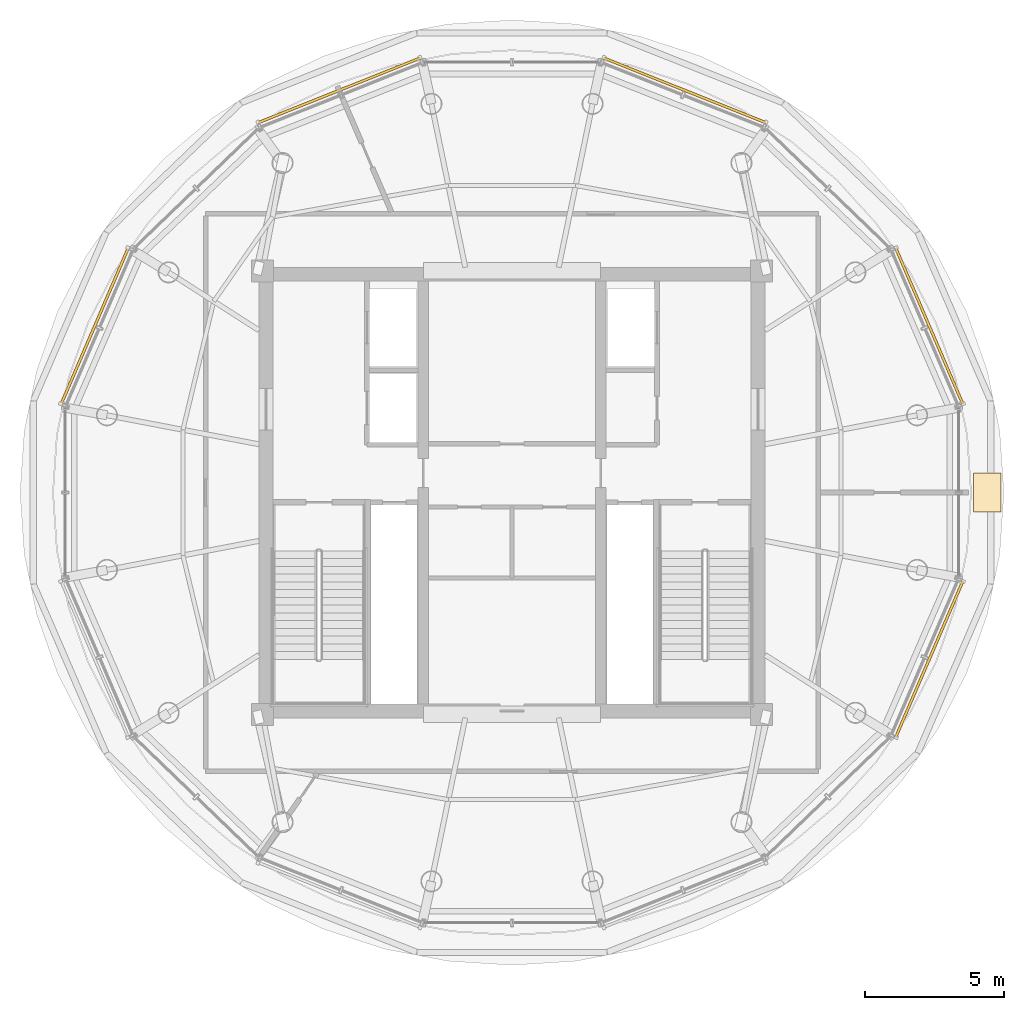
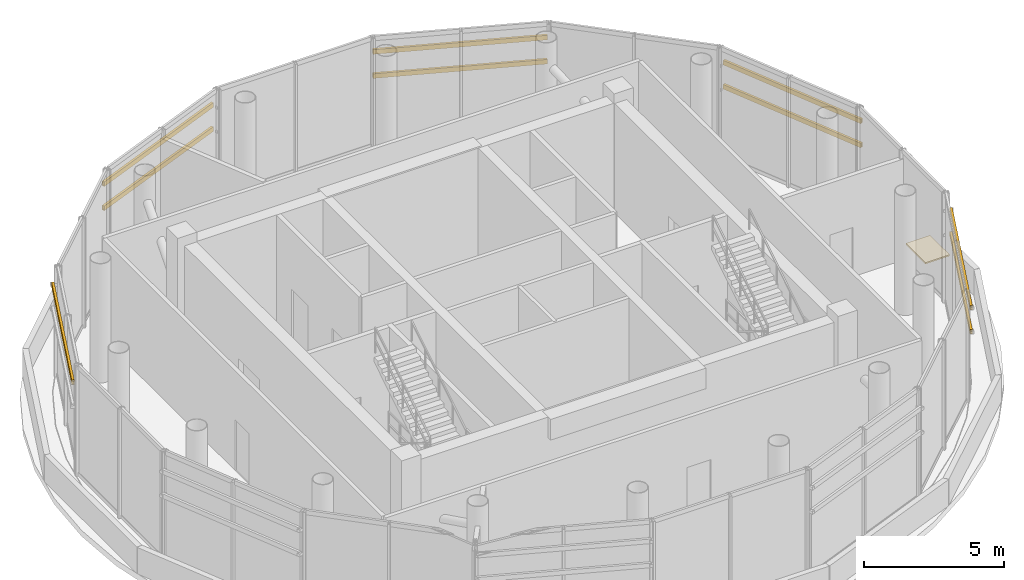
# One storey, part 14 of 14: 9 shading devices, 1 covering.
"""IFC4 building model written with IfcOpenShell, lengths in metres."""

from ifc_helpers import new_model, si_unit, direction, frame, origin, origin_2d, place, context, subcontext, project, spatial, rectangle, hollow_rectangle, extrude, source, transform, mapped, material, layer, layer_set, material_profile, profile_set, type_object, element, save


model = new_model("IFC4")

# Units and contexts
model_context = context("Model", 3, precision=1e-05, world=origin(), true_north=direction((-0.2419218956, 0.970295726276)))
body_context = subcontext(model_context, "Body", "Model", "MODEL_VIEW")
ifc_project = project(units=[si_unit("LENGTHUNIT", "METRE"), si_unit("AREAUNIT", "SQUARE_METRE"), si_unit("VOLUMEUNIT", "CUBIC_METRE"), si_unit("PLANEANGLEUNIT", "RADIAN"), si_unit("MASSUNIT", "GRAM", prefix="KILO")], contexts=[model_context])

# Site, building, storey
site_placement = place(None, origin())
site = spatial("IfcSite", under=ifc_project, at=site_placement, CompositionType="ELEMENT")
building_placement = place(site_placement, origin())
building = spatial("IfcBuilding", under=site, at=building_placement, Name="Cobrevalo Terracotta Tower", CompositionType="ELEMENT")
storey_placement = place(building_placement, frame((0.0, 0.0, 321.699951171875)))
storey = spatial("IfcBuildingStorey", under=building, at=storey_placement, Name="L83", CompositionType="ELEMENT", Elevation=321.699951171875)

# Shading devices
ifc_material_1 = material(Name="Extruded fired architectural terracotta", Category="masonry")
ifc_material_profile = material_profile(ifc_material_1, hollow_rectangle(XDim=0.094970703125, YDim=0.199951171875, WallThickness=0.01611328125, at=origin_2d()), Name="BAGUETTE 95x200")
ifc_profile_set = profile_set([ifc_material_profile], Name="Extruded fired architectural terracotta")
shading_device_type = type_object("IfcShadingDeviceType", Name="Upper-Zone Terracotta Baguette Screen 95x200", PredefinedType="USERDEFINED", material=ifc_profile_set)
shared_shape_1 = source(origin(), body_context, "Body", "SweptSolid", [
    extrude(hollow_rectangle(XDim=0.094970703125, YDim=0.199951171875, WallThickness=0.01611328125, at=origin_2d()), origin(), (0.0, 0.0, 1.0), 6.13134765625),
])
for number, where, z_axis, x_axis, name in (
    (1, (54.263916015625, 29.99609375, 2.963623046875), (-0.394961883587, 0.918697507623, 0.0), (-0.918697507623, -0.394961883587, 0.0), "CW-CRN-L83-S01 horizontal terracotta baguette 1"),
    (2, (54.263916015625, 29.99609375, 4.01513671875), (-0.394961883587, 0.918697507623, 0.0), (-0.918697507623, -0.394961883587, 0.0), "CW-CRN-L83-S01 horizontal terracotta baguette 2"),
    (3, (24.15771484375, 35.62890625, 4.01513671875), (-0.394961883587, -0.918697507623, 0.0), (0.918697507623, -0.394961883587, 0.0), "CW-CRN-L83-S07 horizontal terracotta baguette 2"),
    (4, (51.84228515625, 17.970947265625, 2.963623046875), (0.394961883587, 0.918697507623, 0.0), (-0.918697507623, 0.394961883587, 0.0), "CW-CRN-L83-S15 horizontal terracotta baguette 1"),
    (5, (51.84228515625, 17.970947265625, 4.01513671875), (0.394961883587, 0.918697507623, 0.0), (-0.918697507623, 0.394961883587, 0.0), "CW-CRN-L83-S15 horizontal terracotta baguette 2"),
):
    element("IfcShadingDevice", number, at=place(storey_placement, frame(where, z_axis=z_axis, x_axis=x_axis)), inside=storey, type_object=shading_device_type, Name=name, ObjectType="BAGUETTE", PredefinedType="USERDEFINED", context=body_context, shape_type="MappedRepresentation", body=[
        mapped(shared_shape_1, transform((0.0, 0.0, 0.0), scale=1.0)),
    ])
shared_shape_2 = source(origin(), body_context, "Body", "SweptSolid", [
    extrude(hollow_rectangle(XDim=0.094970703125, YDim=0.199951171875, WallThickness=0.01611328125, at=origin_2d()), origin(), (0.0, 0.0, 1.0), 6.296875),
])
for number, where, z_axis, x_axis, name in (
    (6, (47.157470703125, 40.144287109375, 2.963623046875), (-0.928770528093, 0.37065523893, 0.0), (-0.37065523893, -0.928770528093, 0.0), "CW-CRN-L83-S03 horizontal terracotta baguette 1"),
    (7, (47.157470703125, 40.144287109375, 4.01513671875), (-0.928770528093, 0.37065523893, 0.0), (-0.37065523893, -0.928770528093, 0.0), "CW-CRN-L83-S03 horizontal terracotta baguette 2"),
    (8, (34.69091796875, 42.478271484375, 2.963623046875), (-0.928770528093, -0.37065523893, 0.0), (0.37065523893, -0.928770528093, 0.0), "CW-CRN-L83-S05 horizontal terracotta baguette 1"),
    (9, (34.69091796875, 42.478271484375, 4.01513671875), (-0.928770528093, -0.37065523893, 0.0), (0.37065523893, -0.928770528093, 0.0), "CW-CRN-L83-S05 horizontal terracotta baguette 2"),
):
    element("IfcShadingDevice", number, at=place(storey_placement, frame(where, z_axis=z_axis, x_axis=x_axis)), inside=storey, type_object=shading_device_type, Name=name, ObjectType="BAGUETTE", PredefinedType="USERDEFINED", context=body_context, shape_type="MappedRepresentation", body=[
        mapped(shared_shape_2, transform((0.0, 0.0, 0.0), scale=1.0)),
    ])

# Covering
ifc_material_2 = material(Name="Insulated TPO roof waterproofing membrane", Category="bitumen")
ifc_layer = layer(ifc_material_2, 0.06005859375)
ifc_layer_set = layer_set([ifc_layer], Name="Insulated TPO roof waterproofing membrane")
covering_type = type_object("IfcCoveringType", Name="Insulated UV-reflective waterproof roof membrane 60 mm", PredefinedType="ROOFING", material=ifc_layer_set)
shared_shape_3 = source(origin(), body_context, "Body", "SweptSolid", [
    extrude(rectangle(XDim=1.0, YDim=1.39990234375, at=origin_2d()), origin(), (0.0, 0.0, 1.0), 0.06005859375),
])
covering_placement = place(storey_placement, frame((55.14990234375, 26.800048828125, 0.0), z_axis=(0.0, 0.0, 1.0), x_axis=(1.0, 0.0, 0.0)))
element("IfcCovering", 10, at=covering_placement, inside=storey, type_object=covering_type, Name="L83 crown waterproof roof membrane", PredefinedType="ROOFING", context=body_context, shape_type="MappedRepresentation", body=[
    mapped(shared_shape_3, transform((0.0, 0.0, 0.0), scale=1.0)),
])

save(model, "model.ifc")
